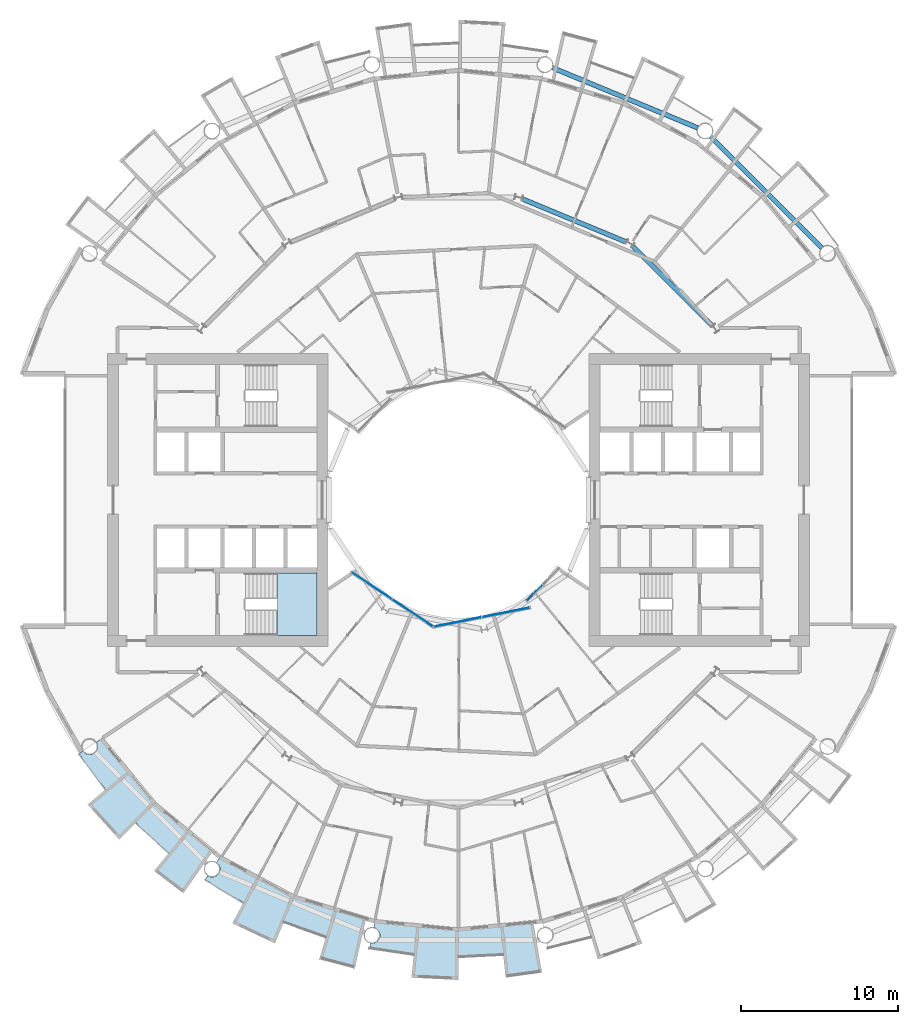
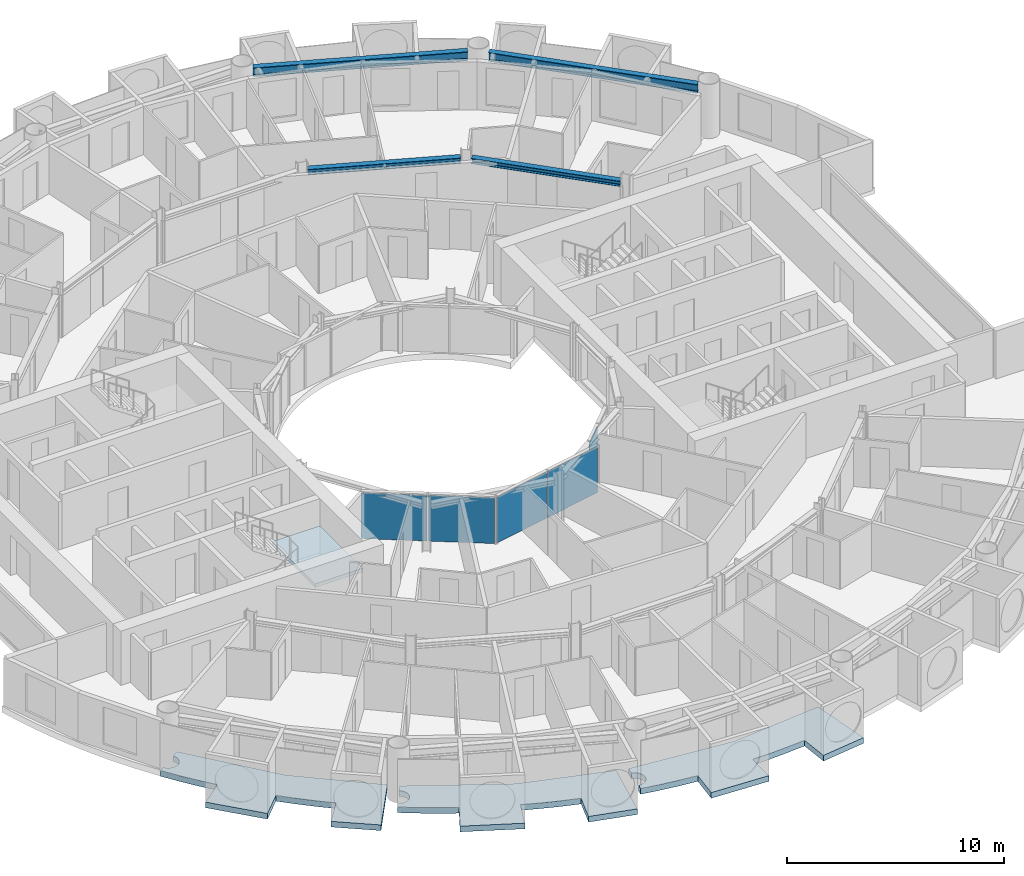
# One storey, part 9 of 26: 5 plates, 4 beams, 4 slabs, 4 elements without a shape of their own.
"""IFC4 building model written with IfcOpenShell, lengths in metres."""

from ifc_helpers import new_model, si_unit, direction, frame, origin, origin_2d, place, context, subcontext, project, spatial, polyline, rectangle, i_section, outline, extrude, material, layer, layer_set, material_profile, profile_set, type_object, element, aggregate, save


model = new_model("IFC4")

# Units and contexts
model_context = context("Model", 3, precision=1e-05, world=origin(), true_north=direction((0.0, 1.0)))
body_context = subcontext(model_context, "Body", "Model", "MODEL_VIEW")
ifc_project = project(units=[si_unit("LENGTHUNIT", "METRE"), si_unit("AREAUNIT", "SQUARE_METRE"), si_unit("VOLUMEUNIT", "CUBIC_METRE"), si_unit("PLANEANGLEUNIT", "RADIAN"), si_unit("MASSUNIT", "GRAM", prefix="KILO")], contexts=[model_context])

# Site, building, storey
site_placement = place(None, origin())
site = spatial("IfcSite", under=ifc_project, at=site_placement, CompositionType="ELEMENT")
building_placement = place(site_placement, origin())
building = spatial("IfcBuilding", under=site, at=building_placement, Name="Maasbend Ring Residences", CompositionType="ELEMENT")
storey_placement = place(building_placement, frame((0.0, 0.0, 69.699951171875)))
storey = spatial("IfcBuildingStorey", under=building, at=storey_placement, Name="L19", CompositionType="ELEMENT", Elevation=69.699951171875)

# Beams
ifc_material_1 = material(Name="Steel S355J2", Category="steel")
ifc_material_profile_1 = material_profile(ifc_material_1, i_section(OverallWidth=0.300048828125, OverallDepth=0.300048828125, WebThickness=0.010986328125, FlangeThickness=0.01904296875, FilletRadius=0.027099609375, at=origin_2d()), Name="HEB 300")
ifc_profile_set_1 = profile_set([ifc_material_profile_1], Name="Steel S355J2")
beam_type_1 = type_object("IfcBeamType", Name="Corridor ring beam HEB 300", PredefinedType="BEAM", material=ifc_profile_set_1)
for number, where, z_axis, x_axis, name in (
    (1, (16.10791015625, 11.078125, 2.550048828125), (-0.707106781187, 0.707106781187, 0.0), (-0.707106781187, -0.707106781187, 0.0), "Corridor ring beam"),
    (2, (10.642333984375, 16.39892578125, 2.550048828125), (-0.923877113721, 0.382689271788, 0.0), (-0.382689271788, -0.923877113721, 0.0), "Corridor ring beam"),
):
    element("IfcBeam", number, at=place(storey_placement, frame(where, z_axis=z_axis, x_axis=x_axis)), inside=storey, type_object=beam_type_1, Name=name, PredefinedType="BEAM", context=body_context, shape_type="SweptSolid", body=[
        extrude(i_section(OverallWidth=0.300048828125, OverallDepth=0.300048828125, WebThickness=0.010986328125, FlangeThickness=0.01904296875, FilletRadius=0.027099609375, at=origin_2d()), origin(), (0.0, 0.0, 1.0), 7.11328125),
    ])
ifc_material_2 = material(Name="Steel S355J2", Category="steel")
ifc_material_profile_2 = material_profile(ifc_material_2, i_section(OverallWidth=0.300048828125, OverallDepth=0.5, WebThickness=0.014404296875, FlangeThickness=0.028076171875, FilletRadius=0.027099609375, at=origin_2d()), Name="HEB 500")
ifc_profile_set_2 = profile_set([ifc_material_profile_2], Name="Steel S355J2")
beam_type_2 = type_object("IfcBeamType", Name="Spandrel ring beam HEB 500", PredefinedType="SPANDREL", material=ifc_profile_set_2)
beam_1_placement = place(storey_placement, frame((23.088134765625, 16.0263671875, 2.449951171875), z_axis=(-0.707106781187, 0.707106781187, 0.0), x_axis=(-0.707106781187, -0.707106781187, 0.0)))
element("IfcBeam", 3, at=beam_1_placement, inside=storey, type_object=beam_type_2, Name="Spandrel ring beam", PredefinedType="SPANDREL", context=body_context, shape_type="SweptSolid", body=[
    extrude(i_section(OverallWidth=0.300048828125, OverallDepth=0.5, WebThickness=0.014404296875, FlangeThickness=0.028076171875, FilletRadius=0.027099609375, at=origin_2d()), origin(), (0.0, 0.0, 1.0), 9.98681640625),
])
beam_2_placement = place(storey_placement, frame((15.19775390625, 23.641845703125, 2.449951171875), z_axis=(-0.923886337442, 0.382667003395, 0.0), x_axis=(-0.382667003395, -0.923886337442, 0.0)))
element("IfcBeam", 4, at=beam_2_placement, inside=storey, type_object=beam_type_2, Name="Spandrel ring beam", PredefinedType="SPANDREL", context=body_context, shape_type="SweptSolid", body=[
    extrude(i_section(OverallWidth=0.300048828125, OverallDepth=0.5, WebThickness=0.014404296875, FlangeThickness=0.028076171875, FilletRadius=0.027099609375, at=origin_2d()), origin(), (0.0, 0.0, 1.0), 9.9873046875),
])

# Stair, slab
ifc_material_3 = material(Name="Concrete C40/50", Category="concrete")
stair_type = type_object("IfcStairType", Name="CORE STAIR 18 RISERS", PredefinedType="HALF_TURN_STAIR", material=ifc_material_3)
stair_placement = place(storey_placement, origin())
stair = element("IfcStair", 5, at=stair_placement, inside=storey, type_object=stair_type, Name="L19 Exit stair ST-W1", PredefinedType="HALF_TURN_STAIR")
ifc_material_4 = material(Name="Concrete C40/50", Category="concrete")
ifc_layer_1 = layer(ifc_material_4, 0.199951171875)
ifc_layer_set_1 = layer_set([ifc_layer_1], Name="Concrete C40/50")
slab_type_1 = type_object("IfcSlabType", Name="CORE STAIR LANDING 200", PredefinedType="LANDING", material=ifc_layer_set_1)
slab_1_placement = place(storey_placement, frame((0.0, 0.0, 1.324951171875)))
slab_1 = element("IfcSlab", 6, at=slab_1_placement, type_object=slab_type_1, Name="ST-W1 landing 1", PredefinedType="LANDING", context=body_context, shape_type="SweptSolid", body=[
    extrude(outline(polyline([(-11.550048828125, -8.60009765625), (-9.0, -8.60009765625), (-9.0, -4.64990234375), (-11.550048828125, -4.64990234375), (-11.550048828125, -8.60009765625)])), origin(), (0.0, 0.0, 1.0), 0.2001953125),
])
aggregate(stair, [slab_1])

# Curtain wall, plates
ifc_material_5 = material(Name="Aluminium and clear glass", Category="aluminium")
ifc_layer_2 = layer(ifc_material_5, 0.179931640625)
ifc_layer_set_2 = layer_set([ifc_layer_2], Name="CW-W")
curtain_wall_type = type_object("IfcCurtainWallType", Name="CW-W", PredefinedType="NOTDEFINED", material=ifc_layer_set_2)
curtain_wall_1_placement = place(storey_placement, origin())
curtain_wall_1 = element("IfcCurtainWall", 7, at=curtain_wall_1_placement, inside=storey, type_object=curtain_wall_type, Name="Well curtain wall S1", PredefinedType="NOTDEFINED")
ifc_material_6 = material(Name="Glass clear laminated", Category="glass")
ifc_layer_3 = layer(ifc_material_6, 0.031982421875)
ifc_layer_set_3 = layer_set([ifc_layer_3], Name="CWP-W")
plate_type = type_object("IfcPlateType", Name="CWP-W", PredefinedType="CURTAIN_PANEL", material=ifc_layer_set_3)
plate_1_placement = place(storey_placement, frame((-5.51123046875, -5.44580078125, 0.0), z_axis=(0.0, 0.0, 1.0), x_axis=(0.831469612303, -0.55557023302, 0.0)))
plate_1 = element("IfcPlate", 8, at=plate_1_placement, type_object=plate_type, Name="Glass panel well face", PredefinedType="CURTAIN_PANEL", context=body_context, shape_type="SweptSolid", body=[
    extrude(rectangle(XDim=3.053955078125, YDim=0.031982421875, at=origin_2d()), origin(), (0.0, 0.0, 1.0), 2.580078125),
])
plate_2_placement = place(storey_placement, frame((-2.922119140625, -7.17578125, 0.0), z_axis=(0.0, 0.0, 1.0), x_axis=(0.831469612303, -0.55557023302, 0.0)))
plate_2 = element("IfcPlate", 9, at=plate_2_placement, type_object=plate_type, Name="Glass panel well face", PredefinedType="CURTAIN_PANEL", context=body_context, shape_type="SweptSolid", body=[
    extrude(rectangle(XDim=3.053955078125, YDim=0.031982421875, at=origin_2d()), origin(), (0.0, 0.0, 1.0), 2.580078125),
])
aggregate(curtain_wall_1, [plate_1, plate_2])

curtain_wall_2_placement = place(storey_placement, origin())
curtain_wall_2 = element("IfcCurtainWall", 10, at=curtain_wall_2_placement, inside=storey, type_object=curtain_wall_type, Name="Well curtain wall S2", PredefinedType="NOTDEFINED")
plate_3_placement = place(storey_placement, frame((-0.04638671875, -7.747802734375, 0.0), z_axis=(0.0, 0.0, 1.0), x_axis=(0.980785280403, 0.195090322016, 0.0)))
plate_3 = element("IfcPlate", 11, at=plate_3_placement, type_object=plate_type, Name="Glass panel well face", PredefinedType="CURTAIN_PANEL", context=body_context, shape_type="SweptSolid", body=[
    extrude(rectangle(XDim=3.053955078125, YDim=0.031982421875, at=origin_2d()), origin(), (0.0, 0.0, 1.0), 2.580078125),
])
plate_4_placement = place(storey_placement, frame((3.0078125, -7.140380859375, 0.0), z_axis=(0.0, 0.0, 1.0), x_axis=(0.980785280403, 0.195090322016, 0.0)))
plate_4 = element("IfcPlate", 12, at=plate_4_placement, type_object=plate_type, Name="Glass panel well face", PredefinedType="CURTAIN_PANEL", context=body_context, shape_type="SweptSolid", body=[
    extrude(rectangle(XDim=3.053955078125, YDim=0.031982421875, at=origin_2d()), origin(), (0.0, 0.0, 1.0), 2.580078125),
])
aggregate(curtain_wall_2, [plate_3, plate_4])

# Curtain wall, plate
curtain_wall_3_placement = place(storey_placement, origin())
curtain_wall_3 = element("IfcCurtainWall", 13, at=curtain_wall_3_placement, inside=storey, type_object=curtain_wall_type, Name="Well curtain wall S3", PredefinedType="NOTDEFINED")
plate_5_placement = place(storey_placement, frame((4.84375, -5.89013671875, 0.0), z_axis=(0.0, 0.0, 1.0), x_axis=(0.707106781187, 0.707106781187, 0.0)))
plate_5 = element("IfcPlate", 14, at=plate_5_placement, type_object=plate_type, Name="Glass panel well face", PredefinedType="CURTAIN_PANEL", context=body_context, shape_type="SweptSolid", body=[
    extrude(rectangle(XDim=1.419677734375, YDim=0.031982421875, at=origin_2d()), origin(), (0.0, 0.0, 1.0), 2.580078125),
])
aggregate(curtain_wall_3, [plate_5])

# Slabs
ifc_material_7 = material(Name="Concrete C40/50", Category="concrete")
ifc_layer_4 = layer(ifc_material_7, 0.199951171875)
ifc_layer_set_4 = layer_set([ifc_layer_4], Name="Concrete C40/50")
slab_type_2 = type_object("IfcSlabType", Name="SL-LOGGIA", PredefinedType="FLOOR", material=ifc_layer_set_4)
slab_2_placement = place(storey_placement, frame((0.0, 0.0, -0.349853515625)))
element("IfcSlab", 15, at=slab_2_placement, inside=storey, type_object=slab_type_2, Name="Loggia floor 1", PredefinedType="FLOOR", context=body_context, shape_type="SweptSolid", body=[
    extrude(outline(polyline([(-15.9169921875, -23.888916015625), (-15.906982421875, -23.89501953125), (-15.89599609375, -23.90087890625), (-15.884033203125, -23.906982421875), (-15.873046875, -23.912109375), (-15.862060546875, -23.9169921875), (-15.85009765625, -23.9208984375), (-15.837890625, -23.926025390625), (-15.825927734375, -23.929931640625), (-15.81494140625, -23.93408203125), (-15.802978515625, -23.93701171875), (-15.791015625, -23.93994140625), (-15.778076171875, -23.943115234375), (-15.76611328125, -23.946044921875), (-15.75390625, -23.947998046875), (-15.741943359375, -23.949951171875), (-15.72900390625, -23.951904296875), (-15.717041015625, -23.952880859375), (-15.7041015625, -23.9541015625), (-15.69189453125, -23.955078125), (-15.679931640625, -23.955078125), (-15.6669921875, -23.955078125), (-15.655029296875, -23.955078125), (-15.64208984375, -23.955078125), (-15.6298828125, -23.9541015625), (-15.616943359375, -23.952880859375), (-15.60498046875, -23.951904296875), (-15.593017578125, -23.949951171875), (-15.580078125, -23.947998046875), (-15.568115234375, -23.946044921875), (-15.555908203125, -23.943115234375), (-15.5439453125, -23.93994140625), (-15.531982421875, -23.93701171875), (-15.52001953125, -23.93408203125), (-15.508056640625, -23.929931640625), (-15.49609375, -23.926025390625), (-15.48388671875, -23.9208984375), (-15.472900390625, -23.9169921875), (-15.4609375, -23.912109375), (-15.449951171875, -23.906982421875), (-15.43896484375, -23.90087890625), (-15.427978515625, -23.89501953125), (-15.4169921875, -23.888916015625), (-15.406005859375, -23.883056640625), (-15.39501953125, -23.876953125), (-15.385009765625, -23.8701171875), (-15.375, -23.863037109375), (-15.364013671875, -23.85498046875), (-15.35498046875, -23.847900390625), (-15.344970703125, -23.840087890625), (-15.3349609375, -23.83203125), (-15.325927734375, -23.823974609375), (-15.31689453125, -23.81494140625), (-15.30810546875, -23.806884765625), (-15.299072265625, -23.798095703125), (-15.291015625, -23.7890625), (-15.281982421875, -23.779052734375), (-15.27392578125, -23.77001953125), (-15.26708984375, -23.760009765625), (-15.259033203125, -23.75), (-15.251953125, -23.739990234375), (-15.2451171875, -23.72998046875), (-15.238037109375, -23.718994140625), (-15.23095703125, -23.708984375), (-15.22509765625, -23.697998046875), (-15.218994140625, -23.68701171875), (-15.212890625, -23.676025390625), (-15.2080078125, -23.6650390625), (-15.202880859375, -23.653076171875), (-15.197998046875, -23.64208984375), (-15.193115234375, -23.6298828125), (-15.18896484375, -23.618896484375), (-15.18505859375, -23.60693359375), (-15.180908203125, -23.594970703125), (-15.177978515625, -23.5830078125), (-15.174072265625, -23.571044921875), (-15.1708984375, -23.55908203125), (-15.1689453125, -23.547119140625), (-15.1669921875, -23.533935546875), (-15.1650390625, -23.52197265625), (-15.1630859375, -23.510009765625), (-15.162109375, -23.4970703125), (-15.159912109375, -23.485107421875), (-15.159912109375, -23.471923828125), (-15.158935546875, -23.4599609375), (-15.158935546875, -23.447021484375), (-15.158935546875, -23.43505859375), (-15.159912109375, -23.422119140625), (-15.159912109375, -23.409912109375), (-15.162109375, -23.39794921875), (-15.1630859375, -23.385009765625), (-15.1650390625, -23.373046875), (-15.1669921875, -23.361083984375), (-15.1689453125, -23.347900390625), (-15.1708984375, -23.3359375), (-15.174072265625, -23.323974609375), (-15.177978515625, -23.31201171875), (-15.180908203125, -23.300048828125), (-15.18505859375, -23.2880859375), (-15.18896484375, -23.27587890625), (-15.193115234375, -23.264892578125), (-15.197998046875, -23.2529296875), (-15.202880859375, -23.241943359375), (-15.2080078125, -23.22998046875), (-15.212890625, -23.218994140625), (-15.218994140625, -23.2080078125), (-15.22509765625, -23.197021484375), (-15.23095703125, -23.18603515625), (-15.238037109375, -23.176025390625), (-15.2451171875, -23.1650390625), (-15.251953125, -23.155029296875), (-15.259033203125, -23.14501953125), (-15.26708984375, -23.135009765625), (-15.27392578125, -23.125), (-15.281982421875, -23.115966796875), (-15.291015625, -23.10595703125), (-15.299072265625, -23.096923828125), (-15.30810546875, -23.087890625), (-15.31689453125, -23.0791015625), (-15.325927734375, -23.071044921875), (-15.3349609375, -23.06298828125), (-15.344970703125, -23.054931640625), (-15.35498046875, -23.047119140625), (-15.364013671875, -23.0390625), (-15.375, -23.031982421875), (-15.385009765625, -23.02490234375), (-15.1669921875, -22.698974609375), (-15.1669921875, -22.698974609375), (-15.1669921875, -22.698974609375), (-12.806884765625, -23.9609375), (-10.447021484375, -25.221923828125), (-10.447021484375, -25.221923828125), (-10.447021484375, -25.221923828125), (-7.886962890625, -25.9990234375), (-5.89111328125, -26.60400390625), (-5.89111328125, -26.60400390625), (-5.89111328125, -26.60400390625), (-6.593994140625, -29.779052734375), (-6.593994140625, -29.779052734375), (-6.593994140625, -29.779052734375), (-8.85400390625, -29.18701171875), (-8.85400390625, -29.18701171875), (-8.85400390625, -29.18701171875), (-8.41796875, -27.751953125), (-8.41796875, -27.751953125), (-8.41796875, -27.751953125), (-8.41796875, -27.751953125), (-8.41796875, -27.751953125), (-8.41796875, -27.751953125), (-8.41796875, -27.7509765625), (-8.41796875, -27.7509765625), (-8.41796875, -27.7509765625), (-8.41796875, -27.7509765625), (-8.41796875, -27.7509765625), (-8.4189453125, -27.7509765625), (-8.4189453125, -27.7509765625), (-8.4189453125, -27.7509765625), (-8.4189453125, -27.7509765625), (-8.4189453125, -27.7509765625), (-8.4189453125, -27.7509765625), (-9.322021484375, -27.4609375), (-9.322021484375, -27.4609375), (-10.215087890625, -27.14111328125), (-10.215087890625, -27.14111328125), (-11.096923828125, -26.79296875), (-11.096923828125, -26.79296875), (-11.096923828125, -26.79296875), (-11.097900390625, -26.79296875), (-11.097900390625, -26.79296875), (-11.097900390625, -26.79296875), (-11.097900390625, -26.79296875), (-11.097900390625, -26.79296875), (-11.097900390625, -26.79296875), (-11.097900390625, -26.79296875), (-11.097900390625, -26.79296875), (-11.097900390625, -26.79296875), (-11.097900390625, -26.79296875), (-11.097900390625, -26.79296875), (-11.097900390625, -26.79296875), (-11.097900390625, -26.79296875), (-11.097900390625, -26.79296875), (-11.672119140625, -28.177978515625), (-11.672119140625, -28.177978515625), (-11.672119140625, -28.177978515625), (-14.3779296875, -26.89892578125), (-14.3779296875, -26.89892578125), (-14.3779296875, -26.89892578125), (-13.6708984375, -25.575927734375), (-13.6708984375, -25.575927734375), (-13.6708984375, -25.575927734375), (-13.6708984375, -25.575927734375), (-13.6708984375, -25.575927734375), (-13.6708984375, -25.575927734375), (-13.6708984375, -25.575927734375), (-13.6708984375, -25.575927734375), (-13.6708984375, -25.575927734375), (-13.6708984375, -25.575927734375), (-13.6708984375, -25.575927734375), (-13.6708984375, -25.575927734375), (-13.6708984375, -25.575927734375), (-13.6708984375, -25.575927734375), (-13.6708984375, -25.575927734375), (-13.6708984375, -25.575927734375), (-13.6708984375, -25.574951171875), (-14.5, -25.114990234375), (-14.5, -25.114990234375), (-15.31396484375, -24.626953125), (-15.31396484375, -24.626953125), (-16.112060546875, -24.113037109375), (-16.112060546875, -24.113037109375), (-16.112060546875, -24.113037109375), (-15.948974609375, -23.8701171875), (-15.93896484375, -23.876953125), (-15.927978515625, -23.883056640625), (-15.9169921875, -23.888916015625)])), origin(), (0.0, 0.0, 1.0), 0.31982421875),
])
slab_3_placement = place(storey_placement, frame((0.0, 0.0, -0.349853515625)))
element("IfcSlab", 16, at=slab_3_placement, inside=storey, type_object=slab_type_2, Name="Loggia floor 3", PredefinedType="FLOOR", context=body_context, shape_type="SweptSolid", body=[
    extrude(outline(polyline([(-2.6630859375, -27.0380859375), (0.0, -27.300048828125), (0.0, -27.300048828125), (0.0, -27.300048828125), (2.6630859375, -27.0380859375), (4.739013671875, -26.8330078125), (4.739013671875, -26.8330078125), (4.739013671875, -26.8330078125), (5.303955078125, -30.034912109375), (5.303955078125, -30.034912109375), (5.303955078125, -30.034912109375), (2.989990234375, -30.35302734375), (2.989990234375, -30.35302734375), (2.989990234375, -30.35302734375), (2.843017578125, -28.861083984375), (2.843017578125, -28.861083984375), (2.843017578125, -28.861083984375), (2.843017578125, -28.861083984375), (2.842041015625, -28.861083984375), (2.842041015625, -28.861083984375), (2.842041015625, -28.861083984375), (2.842041015625, -28.861083984375), (2.842041015625, -28.861083984375), (2.842041015625, -28.860107421875), (2.842041015625, -28.860107421875), (2.842041015625, -28.860107421875), (2.842041015625, -28.860107421875), (2.842041015625, -28.860107421875), (2.842041015625, -28.860107421875), (2.842041015625, -28.860107421875), (2.842041015625, -28.860107421875), (1.89697265625, -28.93798828125), (1.89697265625, -28.93798828125), (0.948974609375, -28.98388671875), (0.948974609375, -28.98388671875), (0.0, -29.0), (0.0, -29.0), (0.0, -29.0), (0.0, -29.0), (0.0, -29.0), (0.0, -29.0), (0.0, -29.0), (0.0, -29.0), (0.0, -29.0), (0.0, -29.0), (0.0, -29.0), (0.0, -29.0), (0.0, -29.0), (0.0, -29.0), (0.0, -29.0), (0.0, -29.0), (0.0, -29.0), (0.0, -30.5), (0.0, -30.5), (0.0, -30.5), (-2.989990234375, -30.35302734375), (-2.989990234375, -30.35302734375), (-2.989990234375, -30.35302734375), (-2.843017578125, -28.861083984375), (-2.843017578125, -28.861083984375), (-2.843017578125, -28.861083984375), (-2.843017578125, -28.861083984375), (-2.843017578125, -28.861083984375), (-2.843017578125, -28.861083984375), (-2.843017578125, -28.861083984375), (-2.843017578125, -28.861083984375), (-2.843017578125, -28.860107421875), (-2.843017578125, -28.860107421875), (-2.843017578125, -28.860107421875), (-2.843017578125, -28.860107421875), (-2.843017578125, -28.860107421875), (-2.843017578125, -28.860107421875), (-2.843017578125, -28.860107421875), (-2.843017578125, -28.860107421875), (-2.843017578125, -28.860107421875), (-3.784912109375, -28.751953125), (-3.784912109375, -28.751953125), (-4.72412109375, -28.613037109375), (-4.72412109375, -28.613037109375), (-5.657958984375, -28.443115234375), (-5.657958984375, -28.443115234375), (-5.657958984375, -28.443115234375), (-5.60107421875, -28.156005859375), (-5.60107421875, -28.156005859375), (-5.587890625, -28.158935546875), (-5.575927734375, -28.160888671875), (-5.56396484375, -28.162109375), (-5.551025390625, -28.1640625), (-5.5390625, -28.1650390625), (-5.52587890625, -28.1650390625), (-5.513916015625, -28.166015625), (-5.501953125, -28.166015625), (-5.489013671875, -28.166015625), (-5.47705078125, -28.1650390625), (-5.464111328125, -28.1650390625), (-5.451904296875, -28.1640625), (-5.43896484375, -28.162109375), (-5.427001953125, -28.160888671875), (-5.4150390625, -28.158935546875), (-5.402099609375, -28.156005859375), (-5.389892578125, -28.154052734375), (-5.3779296875, -28.15087890625), (-5.365966796875, -28.14794921875), (-5.35400390625, -28.14404296875), (-5.342041015625, -28.139892578125), (-5.330078125, -28.135986328125), (-5.319091796875, -28.132080078125), (-5.306884765625, -28.126953125), (-5.2958984375, -28.123046875), (-5.283935546875, -28.116943359375), (-5.27294921875, -28.112060546875), (-5.261962890625, -28.10595703125), (-5.2509765625, -28.10009765625), (-5.239990234375, -28.093994140625), (-5.22998046875, -28.0869140625), (-5.218994140625, -28.080078125), (-5.208984375, -28.072998046875), (-5.198974609375, -28.06591796875), (-5.18896484375, -28.05908203125), (-5.178955078125, -28.051025390625), (-5.169921875, -28.04296875), (-5.159912109375, -28.034912109375), (-5.15087890625, -28.02587890625), (-5.14208984375, -28.01708984375), (-5.134033203125, -28.008056640625), (-5.125, -27.9990234375), (-5.116943359375, -27.989990234375), (-5.10888671875, -27.97998046875), (-5.10107421875, -27.970947265625), (-5.093017578125, -27.9609375), (-5.0859375, -27.950927734375), (-5.0791015625, -27.93994140625), (-5.072021484375, -27.929931640625), (-5.06591796875, -27.9189453125), (-5.05908203125, -27.907958984375), (-5.052978515625, -27.89794921875), (-5.048095703125, -27.886962890625), (-5.0419921875, -27.875), (-5.037109375, -27.864013671875), (-5.031982421875, -27.85302734375), (-5.028076171875, -27.841064453125), (-5.02294921875, -27.8291015625), (-5.01904296875, -27.81689453125), (-5.014892578125, -27.805908203125), (-5.011962890625, -27.7939453125), (-5.009033203125, -27.781982421875), (-5.006103515625, -27.76904296875), (-5.0029296875, -27.757080078125), (-5.0009765625, -27.7451171875), (-4.9990234375, -27.73291015625), (-4.9970703125, -27.719970703125), (-4.99609375, -27.7080078125), (-4.9951171875, -27.695068359375), (-4.993896484375, -27.68310546875), (-4.993896484375, -27.6708984375), (-4.993896484375, -27.657958984375), (-4.993896484375, -27.64599609375), (-4.993896484375, -27.633056640625), (-4.9951171875, -27.62109375), (-4.99609375, -27.60791015625), (-4.9970703125, -27.595947265625), (-4.9990234375, -27.583984375), (-5.0009765625, -27.571044921875), (-5.0029296875, -27.55908203125), (-5.006103515625, -27.547119140625), (-5.009033203125, -27.534912109375), (-5.011962890625, -27.52294921875), (-5.014892578125, -27.510986328125), (-5.01904296875, -27.4990234375), (-5.02294921875, -27.487060546875), (-5.028076171875, -27.47509765625), (-5.031982421875, -27.464111328125), (-5.037109375, -27.451904296875), (-5.0419921875, -27.44091796875), (-5.048095703125, -27.429931640625), (-5.052978515625, -27.4189453125), (-5.05908203125, -27.407958984375), (-5.06591796875, -27.39697265625), (-5.072021484375, -27.385986328125), (-5.0791015625, -27.3759765625), (-5.0859375, -27.365966796875), (-5.093017578125, -27.35498046875), (-5.10107421875, -27.345947265625), (-5.10888671875, -27.3359375), (-5.116943359375, -27.325927734375), (-5.125, -27.31689453125), (-5.134033203125, -27.30810546875), (-5.14208984375, -27.299072265625), (-5.15087890625, -27.2900390625), (-5.159912109375, -27.281982421875), (-5.169921875, -27.27294921875), (-5.178955078125, -27.264892578125), (-5.18896484375, -27.258056640625), (-5.198974609375, -27.25), (-5.208984375, -27.242919921875), (-5.218994140625, -27.236083984375), (-5.22998046875, -27.22900390625), (-5.239990234375, -27.221923828125), (-5.2509765625, -27.216064453125), (-5.261962890625, -27.2099609375), (-5.27294921875, -27.2041015625), (-5.283935546875, -27.198974609375), (-5.2958984375, -27.194091796875), (-5.306884765625, -27.18896484375), (-5.319091796875, -27.18408203125), (-5.330078125, -27.179931640625), (-5.342041015625, -27.176025390625), (-5.35400390625, -27.172119140625), (-5.365966796875, -27.1689453125), (-5.3779296875, -27.1650390625), (-5.389892578125, -27.162109375), (-5.402099609375, -27.159912109375), (-5.402099609375, -27.159912109375), (-5.325927734375, -26.77490234375), (-5.325927734375, -26.77490234375), (-5.325927734375, -26.77490234375), (-2.6630859375, -27.0380859375)])), origin(), (0.0, 0.0, 1.0), 0.31982421875),
])
slab_4_placement = place(storey_placement, frame((0.0, 0.0, -0.349853515625)))
element("IfcSlab", 17, at=slab_4_placement, inside=storey, type_object=slab_type_2, Name="Loggia floor 4", PredefinedType="FLOOR", context=body_context, shape_type="SweptSolid", body=[
    extrude(outline(polyline([(-23.85498046875, -15.969970703125), (-23.847900390625, -15.97998046875), (-23.840087890625, -15.989013671875), (-23.83203125, -15.9990234375), (-23.823974609375, -16.008056640625), (-23.81494140625, -16.01708984375), (-23.806884765625, -16.02587890625), (-23.798095703125, -16.034912109375), (-23.7890625, -16.0439453125), (-23.779052734375, -16.052001953125), (-23.77001953125, -16.06005859375), (-23.760009765625, -16.068115234375), (-23.75, -16.074951171875), (-23.739990234375, -16.08203125), (-23.72998046875, -16.089111328125), (-23.718994140625, -16.095947265625), (-23.708984375, -16.10302734375), (-23.697998046875, -16.10888671875), (-23.68701171875, -16.114990234375), (-23.676025390625, -16.12109375), (-23.6650390625, -16.1259765625), (-23.653076171875, -16.132080078125), (-23.64208984375, -16.135986328125), (-23.6298828125, -16.14111328125), (-23.618896484375, -16.14501953125), (-23.60693359375, -16.14892578125), (-23.594970703125, -16.153076171875), (-23.5830078125, -16.156982421875), (-23.571044921875, -16.159912109375), (-23.55908203125, -16.1630859375), (-23.547119140625, -16.1650390625), (-23.533935546875, -16.16796875), (-23.52197265625, -16.169921875), (-23.510009765625, -16.1708984375), (-23.4970703125, -16.173095703125), (-23.485107421875, -16.174072265625), (-23.471923828125, -16.174072265625), (-23.4599609375, -16.175048828125), (-23.447021484375, -16.175048828125), (-23.43505859375, -16.175048828125), (-23.422119140625, -16.174072265625), (-23.409912109375, -16.174072265625), (-23.39794921875, -16.173095703125), (-23.385009765625, -16.1708984375), (-23.373046875, -16.169921875), (-23.361083984375, -16.16796875), (-23.347900390625, -16.1650390625), (-23.3359375, -16.1630859375), (-23.323974609375, -16.159912109375), (-23.31201171875, -16.156982421875), (-23.300048828125, -16.153076171875), (-23.2880859375, -16.14892578125), (-23.27587890625, -16.14501953125), (-23.264892578125, -16.14111328125), (-23.2529296875, -16.135986328125), (-23.241943359375, -16.132080078125), (-23.22998046875, -16.1259765625), (-23.218994140625, -16.12109375), (-23.2080078125, -16.114990234375), (-23.197021484375, -16.10888671875), (-23.18603515625, -16.10302734375), (-23.176025390625, -16.095947265625), (-23.1650390625, -16.089111328125), (-23.155029296875, -16.08203125), (-23.14501953125, -16.074951171875), (-23.135009765625, -16.068115234375), (-23.125, -16.06005859375), (-23.115966796875, -16.052001953125), (-23.10595703125, -16.0439453125), (-23.096923828125, -16.034912109375), (-23.087890625, -16.02587890625), (-23.0791015625, -16.01708984375), (-23.071044921875, -16.008056640625), (-23.06298828125, -15.9990234375), (-23.054931640625, -15.989013671875), (-23.047119140625, -15.97998046875), (-23.0390625, -15.969970703125), (-23.031982421875, -15.9599609375), (-23.02490234375, -15.948974609375), (-23.01806640625, -15.93896484375), (-23.011962890625, -15.927978515625), (-23.0048828125, -15.9169921875), (-22.9990234375, -15.906982421875), (-22.993896484375, -15.89599609375), (-22.988037109375, -15.884033203125), (-22.98291015625, -15.873046875), (-22.97802734375, -15.862060546875), (-22.972900390625, -15.85009765625), (-22.968994140625, -15.837890625), (-22.965087890625, -15.825927734375), (-22.9609375, -15.81494140625), (-22.9580078125, -15.802978515625), (-22.955078125, -15.791015625), (-22.951904296875, -15.778076171875), (-22.948974609375, -15.76611328125), (-22.947021484375, -15.75390625), (-22.945068359375, -15.741943359375), (-22.943115234375, -15.72900390625), (-22.94189453125, -15.717041015625), (-22.94091796875, -15.7041015625), (-22.93994140625, -15.69189453125), (-22.93994140625, -15.679931640625), (-22.93896484375, -15.6669921875), (-22.93994140625, -15.655029296875), (-22.93994140625, -15.64208984375), (-22.94091796875, -15.6298828125), (-22.94189453125, -15.616943359375), (-22.943115234375, -15.60498046875), (-22.945068359375, -15.593017578125), (-22.947021484375, -15.580078125), (-22.948974609375, -15.568115234375), (-22.951904296875, -15.555908203125), (-22.955078125, -15.5439453125), (-22.9580078125, -15.531982421875), (-22.9609375, -15.52001953125), (-22.965087890625, -15.508056640625), (-22.968994140625, -15.49609375), (-22.972900390625, -15.48388671875), (-22.97802734375, -15.472900390625), (-22.98291015625, -15.4609375), (-22.988037109375, -15.449951171875), (-22.993896484375, -15.43896484375), (-22.9990234375, -15.427978515625), (-23.0048828125, -15.4169921875), (-23.011962890625, -15.406005859375), (-23.01806640625, -15.39501953125), (-23.02490234375, -15.385009765625), (-23.02490234375, -15.385009765625), (-22.698974609375, -15.1669921875), (-22.698974609375, -15.1669921875), (-22.698974609375, -15.1669921875), (-21.001953125, -17.236083984375), (-19.303955078125, -19.303955078125), (-19.303955078125, -19.303955078125), (-19.303955078125, -19.303955078125), (-17.236083984375, -21.001953125), (-15.623046875, -22.324951171875), (-15.623046875, -22.324951171875), (-15.623046875, -22.324951171875), (-17.488037109375, -24.989013671875), (-17.488037109375, -24.989013671875), (-17.488037109375, -24.989013671875), (-19.34912109375, -23.576904296875), (-19.34912109375, -23.576904296875), (-19.34912109375, -23.576904296875), (-18.39794921875, -22.41796875), (-18.39794921875, -22.41796875), (-18.39794921875, -22.41796875), (-18.39794921875, -22.41796875), (-18.39794921875, -22.41796875), (-18.39794921875, -22.4169921875), (-18.39794921875, -22.4169921875), (-18.39794921875, -22.4169921875), (-18.39794921875, -22.4169921875), (-18.39794921875, -22.4169921875), (-18.39794921875, -22.4169921875), (-18.39794921875, -22.4169921875), (-18.39794921875, -22.4169921875), (-18.39794921875, -22.4169921875), (-18.39794921875, -22.4169921875), (-18.39794921875, -22.4169921875), (-18.39794921875, -22.4169921875), (-19.12109375, -21.802978515625), (-19.12109375, -21.802978515625), (-19.823974609375, -21.166015625), (-19.823974609375, -21.166015625), (-20.506103515625, -20.506103515625), (-20.506103515625, -20.506103515625), (-20.506103515625, -20.506103515625), (-20.506103515625, -20.506103515625), (-20.506103515625, -20.506103515625), (-20.506103515625, -20.506103515625), (-20.506103515625, -20.506103515625), (-20.506103515625, -20.506103515625), (-20.506103515625, -20.506103515625), (-20.506103515625, -20.506103515625), (-20.506103515625, -20.506103515625), (-20.506103515625, -20.506103515625), (-20.506103515625, -20.506103515625), (-20.506103515625, -20.506103515625), (-20.506103515625, -20.506103515625), (-20.506103515625, -20.506103515625), (-20.506103515625, -20.506103515625), (-21.56689453125, -21.56689453125), (-21.56689453125, -21.56689453125), (-21.56689453125, -21.56689453125), (-23.576904296875, -19.34912109375), (-23.576904296875, -19.34912109375), (-23.576904296875, -19.34912109375), (-22.41796875, -18.39794921875), (-22.41796875, -18.39794921875), (-22.41796875, -18.39794921875), (-22.41796875, -18.39794921875), (-22.41796875, -18.39794921875), (-22.41796875, -18.39794921875), (-22.41796875, -18.39697265625), (-22.41796875, -18.39697265625), (-22.41796875, -18.39697265625), (-22.41796875, -18.39697265625), (-22.41796875, -18.39697265625), (-22.41796875, -18.39697265625), (-22.41796875, -18.39697265625), (-22.41796875, -18.39697265625), (-22.41796875, -18.39697265625), (-22.41796875, -18.39697265625), (-22.41796875, -18.39697265625), (-23.007080078125, -17.654052734375), (-23.007080078125, -17.654052734375), (-23.572998046875, -16.89208984375), (-23.572998046875, -16.89208984375), (-24.113037109375, -16.112060546875), (-24.113037109375, -16.112060546875), (-24.113037109375, -16.112060546875), (-23.8701171875, -15.948974609375), (-23.8701171875, -15.948974609375), (-23.863037109375, -15.9599609375), (-23.85498046875, -15.969970703125)])), origin(), (0.0, 0.0, 1.0), 0.31982421875),
])

save(model, "model.ifc")
